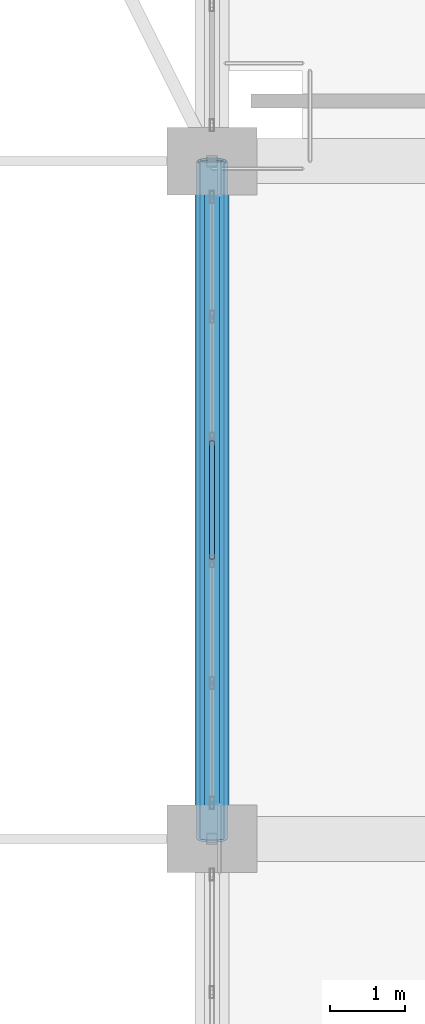
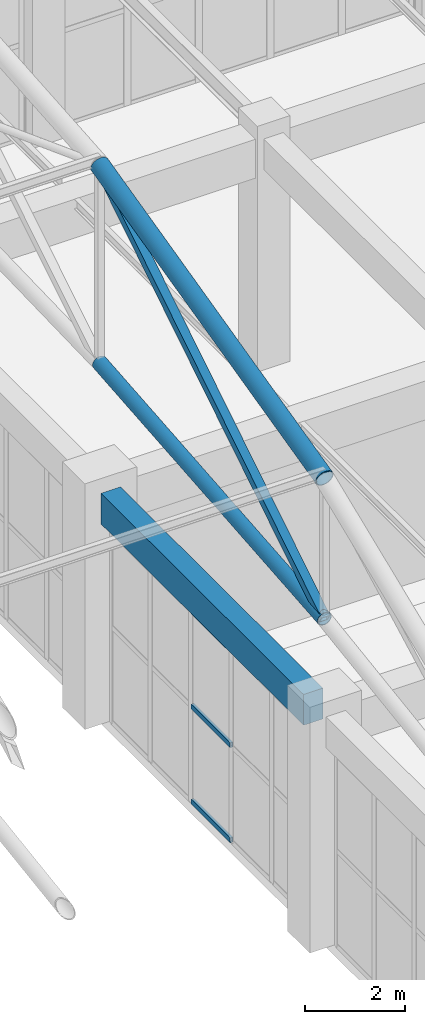
# One storey, part 96 of 223: 6 members, 1 beam, 1 element without a shape of its own.
"""IFC4 building model written with IfcOpenShell, lengths in metres."""

from ifc_helpers import new_model, si_unit, direction, frame, origin, origin_2d, place, context, subcontext, project, spatial, rectangle, hollow_rectangle, hollow_circle, extrude, material, layer, layer_set, material_profile, profile_set, type_object, element, aggregate, save


model = new_model("IFC4")

# Units and contexts
model_context = context("Model", 3, precision=1e-05, world=origin(), true_north=direction((0.0, 1.0)))
body_context = subcontext(model_context, "Body", "Model", "MODEL_VIEW")
ifc_project = project(units=[si_unit("LENGTHUNIT", "METRE"), si_unit("AREAUNIT", "SQUARE_METRE"), si_unit("VOLUMEUNIT", "CUBIC_METRE"), si_unit("PLANEANGLEUNIT", "RADIAN"), si_unit("MASSUNIT", "GRAM", prefix="KILO")], contexts=[model_context])

# Site, building, storey
site_placement = place(None, origin())
site = spatial("IfcSite", under=ifc_project, at=site_placement, CompositionType="ELEMENT")
building_placement = place(site_placement, origin())
building = spatial("IfcBuilding", under=site, at=building_placement, Name="Dornveld Trade and Exhibition Forum", CompositionType="ELEMENT")
storey_placement = place(building_placement, frame((0.0, 0.0, 6.0)))
storey = spatial("IfcBuildingStorey", under=building, at=storey_placement, Name="L01", CompositionType="ELEMENT", Elevation=6.0)

# Beam
ifc_material_1 = material(Name="Precast concrete C50/60", Category="concrete")
ifc_material_profile_1 = material_profile(ifc_material_1, rectangle(XDim=0.449951171875, YDim=0.75, at=origin_2d()), Name="PC-BM 450x750")
ifc_profile_set_1 = profile_set([ifc_material_profile_1], Name="Precast concrete C50/60")
beam_type = type_object("IfcBeamType", Name="BM-PC-450x750", PredefinedType="BEAM", material=ifc_profile_set_1)
beam_placement = place(storey_placement, frame((171.0, 117.446044921875, 5.264892578125), z_axis=(0.0, 1.0, 0.0), x_axis=(-1.0, 0.0, 0.0)))
element("IfcBeam", 1, at=beam_placement, inside=storey, type_object=beam_type, Name="L01 Y-girder 1350", PredefinedType="BEAM", context=body_context, shape_type="SweptSolid", body=[
    extrude(rectangle(XDim=0.449951171875, YDim=0.75, at=origin_2d()), origin(), (0.0, 0.0, 1.0), 8.10791015625),
])

# Curtain wall, members
ifc_material_2 = material(Name="Dark-bronze anodised aluminium and low-E glass", Category="aluminium")
ifc_layer = layer(ifc_material_2, 0.1689453125)
ifc_layer_set = layer_set([ifc_layer], Name="Dark-bronze anodised aluminium and low-E glass")
curtain_wall_type = type_object("IfcCurtainWallType", Name="CW-SYS-09", PredefinedType="USERDEFINED", material=ifc_layer_set)
curtain_wall_placement = place(storey_placement, origin())
curtain_wall = element("IfcCurtainWall", 2, at=curtain_wall_placement, inside=storey, type_object=curtain_wall_type, Name="L01 unitised curtain wall 9", ObjectType="UNITISED_CURTAIN_WALL", PredefinedType="USERDEFINED")
ifc_material_3 = material(Name="Dark-bronze anodised aluminium", Category="aluminium")
ifc_material_profile_2 = material_profile(ifc_material_3, hollow_rectangle(XDim=0.06005859375, YDim=0.1201171875, WallThickness=0.00390625, at=origin_2d()), Name="RHS 120x60x4")
ifc_profile_set_2 = profile_set([ifc_material_profile_2], Name="Dark-bronze anodised aluminium")
member_type_1 = type_object("IfcMemberType", Name="CW-TRN-120", PredefinedType="USERDEFINED", material=ifc_profile_set_2)
member_1_placement = place(storey_placement, frame((171.0, 120.71923828125, 0.02587890625), z_axis=(0.0, 1.0, 0.0), x_axis=(-1.0, 0.0, 0.0)))
member_1 = element("IfcMember", 3, at=member_1_placement, type_object=member_type_1, Name="CW-09 transom 3.1", ObjectType="TRANSOM", PredefinedType="USERDEFINED", context=body_context, shape_type="SweptSolid", body=[
    extrude(hollow_rectangle(XDim=0.06005859375, YDim=0.1201171875, WallThickness=0.00390625, at=origin_2d()), origin(), (0.0, 0.0, 1.0), 1.5615234375),
])
member_2_placement = place(storey_placement, frame((171.0, 120.71923828125, 2.347900390625), z_axis=(0.0, 1.0, 0.0), x_axis=(-1.0, 0.0, 0.0)))
member_2 = element("IfcMember", 4, at=member_2_placement, type_object=member_type_1, Name="CW-09 transom 3.2", ObjectType="TRANSOM", PredefinedType="USERDEFINED", context=body_context, shape_type="SweptSolid", body=[
    extrude(hollow_rectangle(XDim=0.06005859375, YDim=0.1201171875, WallThickness=0.00390625, at=origin_2d()), origin(), (0.0, 0.0, 1.0), 1.5615234375),
])
member_3_placement = place(storey_placement, frame((171.0, 120.71923828125, 4.669921875), z_axis=(0.0, 1.0, 0.0), x_axis=(-1.0, 0.0, 0.0)))
member_3 = element("IfcMember", 5, at=member_3_placement, type_object=member_type_1, Name="CW-09 transom 3.3", ObjectType="TRANSOM", PredefinedType="USERDEFINED", context=body_context, shape_type="SweptSolid", body=[
    extrude(hollow_rectangle(XDim=0.06005859375, YDim=0.1201171875, WallThickness=0.00390625, at=origin_2d()), origin(), (0.0, 0.0, 1.0), 1.5615234375),
])
aggregate(curtain_wall, [member_1, member_2, member_3])

# Members
ifc_material_4 = material(Name="Steel S355J2", Category="steel")
ifc_material_profile_3 = material_profile(ifc_material_4, hollow_circle(Radius=0.161865234375, WallThickness=0.01611328125, at=origin_2d()), Name="CHS 323.9x16")
ifc_profile_set_3 = profile_set([ifc_material_profile_3], Name="Steel S355J2")
member_type_2 = type_object("IfcMemberType", Name="MEM-ARCH-BC", PredefinedType="CHORD", material=ifc_profile_set_3)
member_4_placement = place(storey_placement, frame((171.0, 117.0, 7.683349609375), z_axis=(0.0, 0.996072164085, 0.088545151956), x_axis=(-1.0, 0.0, 0.0)))
element("IfcMember", 6, at=member_4_placement, inside=storey, type_object=member_type_2, Name="H1 truss 9 tie chord 2", PredefinedType="CHORD", context=body_context, shape_type="SweptSolid", body=[
    extrude(hollow_circle(Radius=0.161865234375, WallThickness=0.01611328125, at=origin_2d()), origin(), (0.0, 0.0, 1.0), 9.035400390625),
])
ifc_material_5 = material(Name="Steel S355J2", Category="steel")
ifc_material_profile_4 = material_profile(ifc_material_5, hollow_circle(Radius=0.203125, WallThickness=0.02001953125, at=origin_2d()), Name="CHS 406.4x20")
ifc_profile_set_4 = profile_set([ifc_material_profile_4], Name="Steel S355J2")
member_type_3 = type_object("IfcMemberType", Name="MEM-ARCH-TC", PredefinedType="CHORD", material=ifc_profile_set_4)
member_5_placement = place(storey_placement, frame((171.0, 117.0, 11.11669921875), z_axis=(0.0, 0.971400222114, 0.237448117444), x_axis=(-1.0, 0.0, 0.0)))
element("IfcMember", 7, at=member_5_placement, inside=storey, type_object=member_type_3, Name="H1 truss 9 top chord 2", PredefinedType="CHORD", context=body_context, shape_type="SweptSolid", body=[
    extrude(hollow_circle(Radius=0.203125, WallThickness=0.02001953125, at=origin_2d()), origin(), (0.0, 0.0, 1.0), 9.264892578125),
])
ifc_material_6 = material(Name="Steel S355J2", Category="steel")
ifc_material_profile_5 = material_profile(ifc_material_6, hollow_rectangle(XDim=0.199951171875, YDim=0.199951171875, WallThickness=0.010009765625, at=origin_2d()), Name="SHS 200x200x10")
ifc_profile_set_5 = profile_set([ifc_material_profile_5], Name="Steel S355J2")
member_type_4 = type_object("IfcMemberType", Name="MEM-ARCH-WEB", PredefinedType="BRACE", material=ifc_profile_set_5)
member_6_placement = place(storey_placement, frame((171.0, 117.0, 7.683349609375), z_axis=(0.0, 0.847646750348, 0.530561011218), x_axis=(-1.0, 0.0, 0.0)))
element("IfcMember", 8, at=member_6_placement, inside=storey, type_object=member_type_4, Name="H1 truss 9 web 2", PredefinedType="BRACE", context=body_context, shape_type="SweptSolid", body=[
    extrude(hollow_rectangle(XDim=0.199951171875, YDim=0.199951171875, WallThickness=0.010009765625, at=origin_2d()), origin(), (0.0, 0.0, 1.0), 10.61767578125),
])

save(model, "model.ifc")
